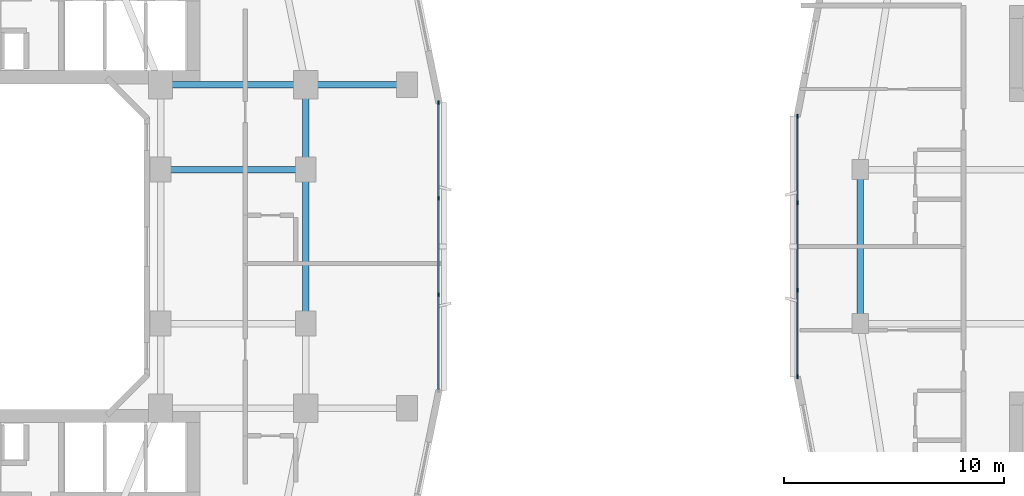
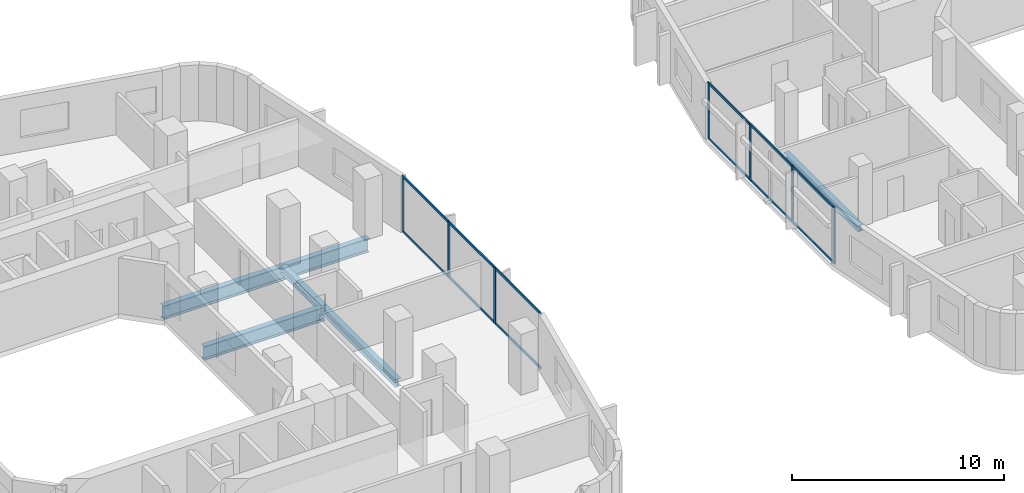
# One storey, part 5 of 26: 19 members, 6 beams, 2 elements without a shape of their own.
"""IFC4 building model written with IfcOpenShell, lengths in metres."""

from ifc_helpers import new_model, si_unit, derived_unit, direction, frame, origin, origin_2d, place, context, subcontext, project, spatial, rectangle, i_section, extrude, material, layer, layer_set, material_profile, profile_set, type_object, element, aggregate, save


model = new_model("IFC4")

# Units and contexts
model_context = context("Model", 3, precision=1e-05, world=origin(), true_north=direction((0.0, 1.0)))
body_context = subcontext(model_context, "Body", "Model", "MODEL_VIEW")
ifc_project = project(units=[si_unit("LENGTHUNIT", "METRE"), si_unit("AREAUNIT", "SQUARE_METRE"), si_unit("VOLUMEUNIT", "CUBIC_METRE"), si_unit("PLANEANGLEUNIT", "RADIAN"), si_unit("MASSUNIT", "GRAM", prefix="KILO"), derived_unit("THERMALTRANSMITTANCEUNIT", [(si_unit("POWERUNIT", "WATT"), 1), (si_unit("LENGTHUNIT", "METRE"), -2), (si_unit("THERMODYNAMICTEMPERATUREUNIT", "KELVIN"), -1)])], contexts=[model_context])

# Site, building, storey
site_placement = place(None, origin())
site = spatial("IfcSite", under=ifc_project, at=site_placement, CompositionType="ELEMENT")
building_placement = place(site_placement, origin())
building = spatial("IfcBuilding", under=site, at=building_placement, Name="Kivonza Crest Hotel", CompositionType="ELEMENT")
storey_placement = place(building_placement, frame((0.0, 0.0, 45.0)))
storey = spatial("IfcBuildingStorey", under=building, at=storey_placement, Name="L11", CompositionType="ELEMENT", Elevation=45.0)

# Beams
ifc_material_1 = material(Name="Steel S355", Category="steel")
ifc_material_profile_1 = material_profile(ifc_material_1, i_section(OverallWidth=0.300048828125, OverallDepth=0.360107421875, WebThickness=0.012451171875, FlangeThickness=0.0224609375, FilletRadius=0.027099609375, at=origin_2d()), Name="HEB 360")
ifc_profile_set_1 = profile_set([ifc_material_profile_1], Name="Steel S355")
beam_type_1 = type_object("IfcBeamType", Name="BM-HEB360", PredefinedType="SPANDREL", material=ifc_profile_set_1)
beam_1_placement = place(storey_placement, frame((61.0, 28.5, -0.429931640625), z_axis=(0.0, -1.0, 0.0), x_axis=(1.0, 0.0, 0.0)))
element("IfcBeam", 1, at=beam_1_placement, inside=storey, type_object=beam_type_1, Name="Companion Tower T2 L11 perimeter spandrel W2-W1", PredefinedType="SPANDREL", context=body_context, shape_type="SweptSolid", body=[
    extrude(i_section(OverallWidth=0.300048828125, OverallDepth=0.360107421875, WebThickness=0.012451171875, FlangeThickness=0.0224609375, FilletRadius=0.027099609375, at=origin_2d()), origin(), (0.0, 0.0, 1.0), 7.0),
])
ifc_material_profile_2 = material_profile(ifc_material_1, i_section(OverallWidth=0.300048828125, OverallDepth=0.449951171875, WebThickness=0.013916015625, FlangeThickness=0.02587890625, FilletRadius=0.027099609375, at=origin_2d()), Name="HEB 450")
ifc_profile_set_2 = profile_set([ifc_material_profile_2], Name="Steel S355")
beam_type_2 = type_object("IfcBeamType", Name="BM-HEB450", PredefinedType="SPANDREL", material=ifc_profile_set_2)
beam_2_placement = place(storey_placement, frame((35.800048828125, 21.5, -0.5048828125), z_axis=(0.0, 1.0, 0.0), x_axis=(-1.0, 0.0, 0.0)))
element("IfcBeam", 2, at=beam_2_placement, inside=storey, type_object=beam_type_2, Name="Tower T1 L11 perimeter spandrel E1-E2", PredefinedType="SPANDREL", context=body_context, shape_type="SweptSolid", body=[
    extrude(i_section(OverallWidth=0.300048828125, OverallDepth=0.449951171875, WebThickness=0.013916015625, FlangeThickness=0.02587890625, FilletRadius=0.027099609375, at=origin_2d()), origin(), (0.0, 0.0, 1.0), 7.0),
])
beam_3_placement = place(storey_placement, frame((35.800048828125, 28.5, -0.5048828125), z_axis=(0.0, 1.0, 0.0), x_axis=(-1.0, 0.0, 0.0)))
element("IfcBeam", 3, at=beam_3_placement, inside=storey, type_object=beam_type_2, Name="Tower T1 L11 perimeter spandrel E2-PNE", PredefinedType="SPANDREL", context=body_context, shape_type="SweptSolid", body=[
    extrude(i_section(OverallWidth=0.300048828125, OverallDepth=0.449951171875, WebThickness=0.013916015625, FlangeThickness=0.02587890625, FilletRadius=0.027099609375, at=origin_2d()), origin(), (0.0, 0.0, 1.0), 3.85009765625),
])
ifc_material_profile_3 = material_profile(ifc_material_1, i_section(OverallWidth=0.300048828125, OverallDepth=0.800048828125, WebThickness=0.017578125, FlangeThickness=0.032958984375, FilletRadius=0.030029296875, at=origin_2d()), Name="HEB 800")
ifc_profile_set_3 = profile_set([ifc_material_profile_3], Name="Steel S355")
beam_type_3 = type_object("IfcBeamType", Name="BM-HEB800", PredefinedType="BEAM", material=ifc_profile_set_3)
for number, where, z_axis, x_axis, name in (
    (4, (29.199951171875, 32.35009765625, -0.679931640625), (1.0, 0.0, 0.0), (0.0, 1.0, 0.0), "Tower T1 L11 primary girder TNE-PNE"),
    (5, (29.199951171875, 28.5, -0.679931640625), (1.0, 0.0, 0.0), (0.0, 1.0, 0.0), "Tower T1 L11 primary girder WR2-E2"),
):
    element("IfcBeam", number, at=place(storey_placement, frame(where, z_axis=z_axis, x_axis=x_axis)), inside=storey, type_object=beam_type_3, Name=name, PredefinedType="BEAM", context=body_context, shape_type="SweptSolid", body=[
        extrude(i_section(OverallWidth=0.300048828125, OverallDepth=0.800048828125, WebThickness=0.017578125, FlangeThickness=0.032958984375, FilletRadius=0.030029296875, at=origin_2d()), origin(), (0.0, 0.0, 1.0), 6.60009765625),
    ])
beam_4_placement = place(storey_placement, frame((40.39990234375, 32.35009765625, -0.679931640625), z_axis=(-1.0, 0.0, 0.0), x_axis=(0.0, -1.0, 0.0)))
element("IfcBeam", 6, at=beam_4_placement, inside=storey, type_object=beam_type_3, Name="Tower T1 L11 outer bay girder ZE2", PredefinedType="BEAM", context=body_context, shape_type="SweptSolid", body=[
    extrude(i_section(OverallWidth=0.300048828125, OverallDepth=0.800048828125, WebThickness=0.017578125, FlangeThickness=0.032958984375, FilletRadius=0.030029296875, at=origin_2d()), origin(), (0.0, 0.0, 1.0), 4.599853515625),
])

# Curtain wall, members
ifc_material_2 = material(Name="Anodised bronze aluminium and low-E double glazing", Category="aluminium")
ifc_layer_1 = layer(ifc_material_2, 0.179931640625)
ifc_layer_set_1 = layer_set([ifc_layer_1], Name="Anodised bronze aluminium and low-E double glazing")
curtain_wall_type_1 = type_object("IfcCurtainWallType", Name="CW-SYS-2", PredefinedType="NOTDEFINED", material=ifc_layer_set_1)
curtain_wall_1_placement = place(storey_placement, origin())
curtain_wall_1 = element("IfcCurtainWall", 7, at=curtain_wall_1_placement, inside=storey, type_object=curtain_wall_type_1, Name="L11 unitised curtain wall CW-T1-L11-17", PredefinedType="NOTDEFINED")
ifc_material_3 = material(Name="Anodised bronze aluminium", Category="aluminium")
ifc_material_profile_4 = material_profile(ifc_material_3, rectangle(XDim=0.06494140625, YDim=0.179931640625, at=origin_2d()), Name="CW-M 65x180")
ifc_profile_set_4 = profile_set([ifc_material_profile_4], Name="Anodised bronze aluminium")
member_type_1 = type_object("IfcMemberType", Name="CW-MUL-65x180", PredefinedType="MULLION", material=ifc_profile_set_4)
member_1_placement = place(storey_placement, frame((41.840087890625, 22.813232421875, 0.0), z_axis=(0.0, 0.0, 1.0), x_axis=(-1.0, 0.0, 0.0)))
member_1 = element("IfcMember", 8, at=member_1_placement, type_object=member_type_1, Name="CW-2 mullion 2", PredefinedType="MULLION", context=body_context, shape_type="SweptSolid", body=[
    extrude(rectangle(XDim=0.06494140625, YDim=0.179931640625, at=origin_2d()), origin(), (0.0, 0.0, 1.0), 3.219970703125),
])
member_2_placement = place(storey_placement, frame((41.840087890625, 27.186767578125, 0.0), z_axis=(0.0, 0.0, 1.0), x_axis=(-1.0, 0.0, 0.0)))
member_2 = element("IfcMember", 9, at=member_2_placement, type_object=member_type_1, Name="CW-2 mullion 3", PredefinedType="MULLION", context=body_context, shape_type="SweptSolid", body=[
    extrude(rectangle(XDim=0.06494140625, YDim=0.179931640625, at=origin_2d()), origin(), (0.0, 0.0, 1.0), 3.219970703125),
])
member_3_placement = place(storey_placement, frame((41.840087890625, 31.527587890625, 0.0), z_axis=(0.0, 0.0, 1.0), x_axis=(-1.0, 0.0, 0.0)))
member_3 = element("IfcMember", 10, at=member_3_placement, type_object=member_type_1, Name="CW-2 mullion 4", PredefinedType="MULLION", context=body_context, shape_type="SweptSolid", body=[
    extrude(rectangle(XDim=0.06494140625, YDim=0.179931640625, at=origin_2d()), origin(), (0.0, 0.0, 1.0), 3.219970703125),
])

ifc_layer_2 = layer(ifc_material_2, 0.179931640625)
ifc_layer_set_2 = layer_set([ifc_layer_2], Name="Anodised bronze aluminium and low-E double glazing")
curtain_wall_type_2 = type_object("IfcCurtainWallType", Name="CW-SYS-4", PredefinedType="NOTDEFINED", material=ifc_layer_set_2)
curtain_wall_2_placement = place(storey_placement, origin())
curtain_wall_2 = element("IfcCurtainWall", 11, at=curtain_wall_2_placement, inside=storey, type_object=curtain_wall_type_2, Name="L11 unitised curtain wall CW-T2-L11-35", PredefinedType="NOTDEFINED")
member_4_placement = place(storey_placement, frame((58.159912109375, 30.927490234375, 0.0), z_axis=(0.0, 0.0, 1.0), x_axis=(1.0, 0.0, 0.0)))
member_4 = element("IfcMember", 12, at=member_4_placement, type_object=member_type_1, Name="CW-4 mullion 1", PredefinedType="MULLION", context=body_context, shape_type="SweptSolid", body=[
    extrude(rectangle(XDim=0.06494140625, YDim=0.179931640625, at=origin_2d()), origin(), (0.0, 0.0, 1.0), 3.25),
])
member_5_placement = place(storey_placement, frame((58.159912109375, 26.986572265625, 0.0), z_axis=(0.0, 0.0, 1.0), x_axis=(1.0, 0.0, 0.0)))
member_5 = element("IfcMember", 13, at=member_5_placement, type_object=member_type_1, Name="CW-4 mullion 2", PredefinedType="MULLION", context=body_context, shape_type="SweptSolid", body=[
    extrude(rectangle(XDim=0.06494140625, YDim=0.179931640625, at=origin_2d()), origin(), (0.0, 0.0, 1.0), 3.25),
])
member_6_placement = place(storey_placement, frame((58.159912109375, 23.013427734375, 0.0), z_axis=(0.0, 0.0, 1.0), x_axis=(1.0, 0.0, 0.0)))
member_6 = element("IfcMember", 14, at=member_6_placement, type_object=member_type_1, Name="CW-4 mullion 3", PredefinedType="MULLION", context=body_context, shape_type="SweptSolid", body=[
    extrude(rectangle(XDim=0.06494140625, YDim=0.179931640625, at=origin_2d()), origin(), (0.0, 0.0, 1.0), 3.25),
])
member_7_placement = place(storey_placement, frame((58.159912109375, 19.072509765625, 0.0), z_axis=(0.0, 0.0, 1.0), x_axis=(1.0, 0.0, 0.0)))
member_7 = element("IfcMember", 15, at=member_7_placement, type_object=member_type_1, Name="CW-4 mullion 4", PredefinedType="MULLION", context=body_context, shape_type="SweptSolid", body=[
    extrude(rectangle(XDim=0.06494140625, YDim=0.179931640625, at=origin_2d()), origin(), (0.0, 0.0, 1.0), 3.25),
])

# Member
ifc_material_profile_5 = material_profile(ifc_material_3, rectangle(XDim=0.06494140625, YDim=0.139892578125, at=origin_2d()), Name="CW-T 65x140")
ifc_profile_set_5 = profile_set([ifc_material_profile_5], Name="Anodised bronze aluminium")
member_type_2 = type_object("IfcMemberType", Name="CW-TRN-65x140", PredefinedType="USERDEFINED", material=ifc_profile_set_5)
member_8_placement = place(storey_placement, frame((41.840087890625, 18.5048828125, 0.032470703125), z_axis=(0.0, 1.0, 0.0), x_axis=(-1.0, 0.0, 0.0)))
member_8 = element("IfcMember", 16, at=member_8_placement, type_object=member_type_2, Name="CW-2 transom 1.1", ObjectType="TRANSOM", PredefinedType="USERDEFINED", context=body_context, shape_type="SweptSolid", body=[
    extrude(rectangle(XDim=0.06494140625, YDim=0.139892578125, at=origin_2d()), origin(), (0.0, 0.0, 1.0), 4.27587890625),
])

member_9_placement = place(storey_placement, frame((41.840087890625, 18.5048828125, 3.1875), z_axis=(0.0, 1.0, 0.0), x_axis=(-1.0, 0.0, 0.0)))
member_9 = element("IfcMember", 17, at=member_9_placement, type_object=member_type_2, Name="CW-2 transom 1.2", ObjectType="TRANSOM", PredefinedType="USERDEFINED", context=body_context, shape_type="SweptSolid", body=[
    extrude(rectangle(XDim=0.06494140625, YDim=0.139892578125, at=origin_2d()), origin(), (0.0, 0.0, 1.0), 4.27587890625),
])

member_10_placement = place(storey_placement, frame((41.840087890625, 22.845947265625, 0.032470703125), z_axis=(0.0, 1.0, 0.0), x_axis=(-1.0, 0.0, 0.0)))
member_10 = element("IfcMember", 18, at=member_10_placement, type_object=member_type_2, Name="CW-2 transom 2.1", ObjectType="TRANSOM", PredefinedType="USERDEFINED", context=body_context, shape_type="SweptSolid", body=[
    extrude(rectangle(XDim=0.06494140625, YDim=0.139892578125, at=origin_2d()), origin(), (0.0, 0.0, 1.0), 4.30810546875),
])

member_11_placement = place(storey_placement, frame((41.840087890625, 22.845947265625, 3.1875), z_axis=(0.0, 1.0, 0.0), x_axis=(-1.0, 0.0, 0.0)))
member_11 = element("IfcMember", 19, at=member_11_placement, type_object=member_type_2, Name="CW-2 transom 2.2", ObjectType="TRANSOM", PredefinedType="USERDEFINED", context=body_context, shape_type="SweptSolid", body=[
    extrude(rectangle(XDim=0.06494140625, YDim=0.139892578125, at=origin_2d()), origin(), (0.0, 0.0, 1.0), 4.30810546875),
])

member_12_placement = place(storey_placement, frame((41.840087890625, 27.21923828125, 0.032470703125), z_axis=(0.0, 1.0, 0.0), x_axis=(-1.0, 0.0, 0.0)))
member_12 = element("IfcMember", 20, at=member_12_placement, type_object=member_type_2, Name="CW-2 transom 3.1", ObjectType="TRANSOM", PredefinedType="USERDEFINED", context=body_context, shape_type="SweptSolid", body=[
    extrude(rectangle(XDim=0.06494140625, YDim=0.139892578125, at=origin_2d()), origin(), (0.0, 0.0, 1.0), 4.27587890625),
])

member_13_placement = place(storey_placement, frame((41.840087890625, 27.21923828125, 3.1875), z_axis=(0.0, 1.0, 0.0), x_axis=(-1.0, 0.0, 0.0)))
member_13 = element("IfcMember", 21, at=member_13_placement, type_object=member_type_2, Name="CW-2 transom 3.2", ObjectType="TRANSOM", PredefinedType="USERDEFINED", context=body_context, shape_type="SweptSolid", body=[
    extrude(rectangle(XDim=0.06494140625, YDim=0.139892578125, at=origin_2d()), origin(), (0.0, 0.0, 1.0), 4.27587890625),
])

aggregate(curtain_wall_1, [member_1, member_2, member_3, member_8, member_9, member_10, member_11, member_12, member_13])

member_14_placement = place(storey_placement, frame((58.159912109375, 30.89501953125, 0.032470703125), z_axis=(0.0, -1.0, 0.0), x_axis=(1.0, 0.0, 0.0)))
member_14 = element("IfcMember", 22, at=member_14_placement, type_object=member_type_2, Name="CW-4 transom 1.1", ObjectType="TRANSOM", PredefinedType="USERDEFINED", context=body_context, shape_type="SweptSolid", body=[
    extrude(rectangle(XDim=0.06494140625, YDim=0.139892578125, at=origin_2d()), origin(), (0.0, 0.0, 1.0), 3.875732421875),
])

member_15_placement = place(storey_placement, frame((58.159912109375, 30.89501953125, 3.217529296875), z_axis=(0.0, -1.0, 0.0), x_axis=(1.0, 0.0, 0.0)))
member_15 = element("IfcMember", 23, at=member_15_placement, type_object=member_type_2, Name="CW-4 transom 1.2", ObjectType="TRANSOM", PredefinedType="USERDEFINED", context=body_context, shape_type="SweptSolid", body=[
    extrude(rectangle(XDim=0.06494140625, YDim=0.139892578125, at=origin_2d()), origin(), (0.0, 0.0, 1.0), 3.875732421875),
])

member_16_placement = place(storey_placement, frame((58.159912109375, 26.9541015625, 0.032470703125), z_axis=(0.0, -1.0, 0.0), x_axis=(1.0, 0.0, 0.0)))
member_16 = element("IfcMember", 24, at=member_16_placement, type_object=member_type_2, Name="CW-4 transom 2.1", ObjectType="TRANSOM", PredefinedType="USERDEFINED", context=body_context, shape_type="SweptSolid", body=[
    extrude(rectangle(XDim=0.06494140625, YDim=0.139892578125, at=origin_2d()), origin(), (0.0, 0.0, 1.0), 3.908203125),
])

member_17_placement = place(storey_placement, frame((58.159912109375, 26.9541015625, 3.217529296875), z_axis=(0.0, -1.0, 0.0), x_axis=(1.0, 0.0, 0.0)))
member_17 = element("IfcMember", 25, at=member_17_placement, type_object=member_type_2, Name="CW-4 transom 2.2", ObjectType="TRANSOM", PredefinedType="USERDEFINED", context=body_context, shape_type="SweptSolid", body=[
    extrude(rectangle(XDim=0.06494140625, YDim=0.139892578125, at=origin_2d()), origin(), (0.0, 0.0, 1.0), 3.908203125),
])

member_18_placement = place(storey_placement, frame((58.159912109375, 22.980712890625, 0.032470703125), z_axis=(0.0, -1.0, 0.0), x_axis=(1.0, 0.0, 0.0)))
member_18 = element("IfcMember", 26, at=member_18_placement, type_object=member_type_2, Name="CW-4 transom 3.1", ObjectType="TRANSOM", PredefinedType="USERDEFINED", context=body_context, shape_type="SweptSolid", body=[
    extrude(rectangle(XDim=0.06494140625, YDim=0.139892578125, at=origin_2d()), origin(), (0.0, 0.0, 1.0), 3.875732421875),
])

member_19_placement = place(storey_placement, frame((58.159912109375, 22.980712890625, 3.217529296875), z_axis=(0.0, -1.0, 0.0), x_axis=(1.0, 0.0, 0.0)))
member_19 = element("IfcMember", 27, at=member_19_placement, type_object=member_type_2, Name="CW-4 transom 3.2", ObjectType="TRANSOM", PredefinedType="USERDEFINED", context=body_context, shape_type="SweptSolid", body=[
    extrude(rectangle(XDim=0.06494140625, YDim=0.139892578125, at=origin_2d()), origin(), (0.0, 0.0, 1.0), 3.875732421875),
])

aggregate(curtain_wall_2, [member_4, member_5, member_6, member_7, member_14, member_15, member_16, member_17, member_18, member_19])

save(model, "model.ifc")
